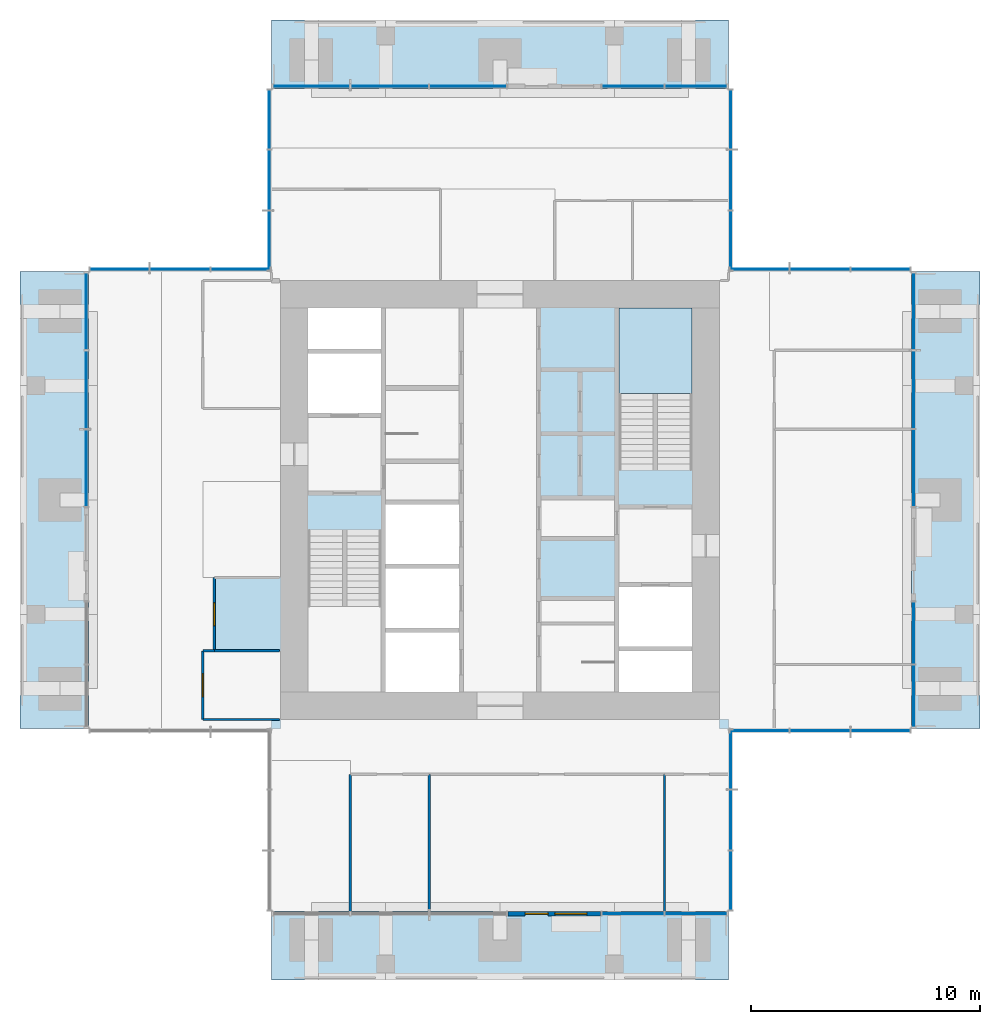
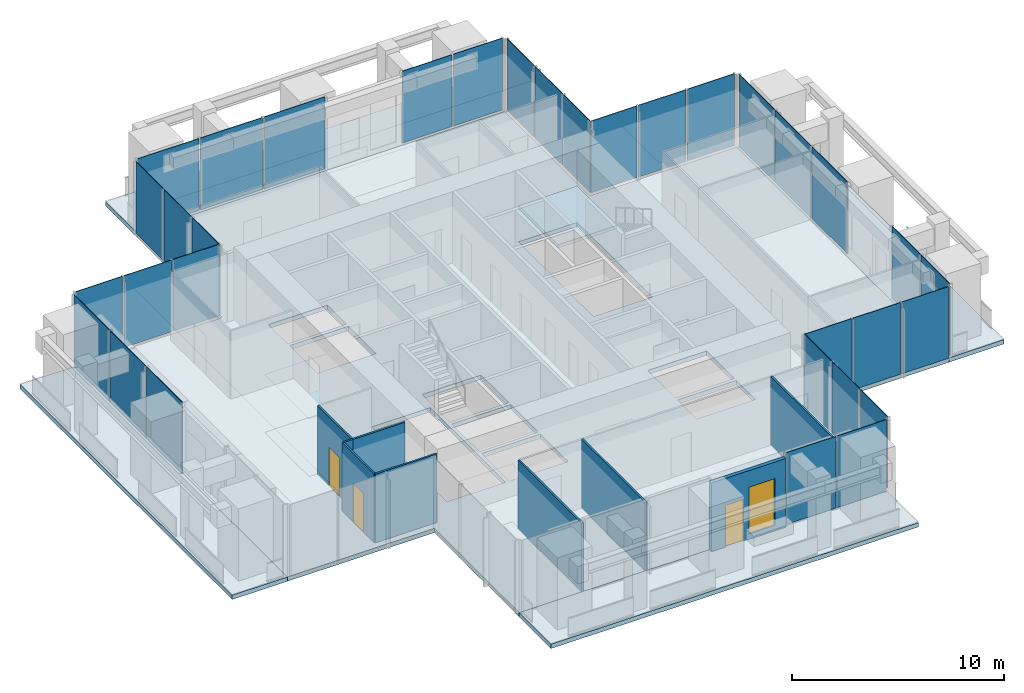
# One storey, part 6 of 12: 33 plates, 9 walls, 6 slabs, 3 doors, 1 window, 4 openings, 13 elements without a shape of their own.
"""IFC4 building model written with IfcOpenShell, lengths in metres."""

from ifc_helpers import new_model, si_unit, direction, frame, frame_2d, origin, origin_2d, place, context, subcontext, project, spatial, polyline, rectangle, outline, extrude, material, layer, layer_set, type_object, element, fill, aggregate, save


model = new_model("IFC4")

# Units and contexts
model_context = context("Model", 3, precision=1e-05, world=origin(), true_north=direction((0.0, 1.0)))
body_context = subcontext(model_context, "Body", "Model", "MODEL_VIEW")
ifc_project = project(units=[si_unit("LENGTHUNIT", "METRE"), si_unit("AREAUNIT", "SQUARE_METRE"), si_unit("VOLUMEUNIT", "CUBIC_METRE"), si_unit("PLANEANGLEUNIT", "RADIAN"), si_unit("MASSUNIT", "GRAM", prefix="KILO")], contexts=[model_context])

# Site, building, storey
site_placement = place(None, origin())
site = spatial("IfcSite", under=ifc_project, at=site_placement, CompositionType="ELEMENT")
building_placement = place(site_placement, origin())
building = spatial("IfcBuilding", under=site, at=building_placement, Name="Svetlomir Tower", CompositionType="ELEMENT")
storey_placement = place(building_placement, frame((0.0, 0.0, 244.0)))
storey = spatial("IfcBuildingStorey", under=building, at=storey_placement, Name="L58", CompositionType="ELEMENT", Elevation=244.0)

# Curtain wall, plates
ifc_material_1 = material(Name="Bronze anodised aluminium curtain wall", Category="aluminium")
curtain_wall_type = type_object("IfcCurtainWallType", Name="CURTAIN WALL CW4 EXECUTIVE", PredefinedType="NOTDEFINED", material=ifc_material_1)
curtain_wall_1_placement = place(storey_placement, origin())
curtain_wall_1 = element("IfcCurtainWall", 1, at=curtain_wall_1_placement, inside=storey, type_object=curtain_wall_type, Name="Curtain wall CW4 L58", PredefinedType="NOTDEFINED")
ifc_material_2 = material(Name="Tinted double glazed unit", Category="glass")
ifc_layer_1 = layer(ifc_material_2, 0.035888671875)
ifc_layer_set_1 = layer_set([ifc_layer_1], Name="Tinted double glazed unit")
plate_type = type_object("IfcPlateType", Name="CW4 GLAZED PANEL 36", PredefinedType="CURTAIN_PANEL", material=ifc_layer_set_1)
plate_1_placement = place(storey_placement, frame((26.81884765625, 2.89990234375, 0.074951171875), z_axis=(0.0, 0.0, 1.0), x_axis=(1.0, 0.0, 0.0)))
plate_1 = element("IfcPlate", 2, at=plate_1_placement, type_object=plate_type, Name="CW4 panel 1.1", PredefinedType="CURTAIN_PANEL", context=body_context, shape_type="SweptSolid", body=[
    extrude(rectangle(XDim=2.6875, YDim=0.035888671875, at=origin_2d()), origin(), (0.0, 0.0, 1.0), 4.125),
])
plate_2_placement = place(storey_placement, frame((29.581298828125, 2.89990234375, 0.074951171875), z_axis=(0.0, 0.0, 1.0), x_axis=(1.0, 0.0, 0.0)))
plate_2 = element("IfcPlate", 3, at=plate_2_placement, type_object=plate_type, Name="CW4 panel 2.1", PredefinedType="CURTAIN_PANEL", context=body_context, shape_type="SweptSolid", body=[
    extrude(rectangle(XDim=2.6875, YDim=0.035888671875, at=origin_2d()), origin(), (0.0, 0.0, 1.0), 4.125),
])
aggregate(curtain_wall_1, [plate_1, plate_2])

curtain_wall_2_placement = place(storey_placement, origin())
curtain_wall_2 = element("IfcCurtainWall", 4, at=curtain_wall_2_placement, inside=storey, type_object=curtain_wall_type, Name="Curtain wall CW4 L58", PredefinedType="NOTDEFINED")
plate_3_placement = place(storey_placement, frame((31.10009765625, 4.35205078125, 0.074951171875), z_axis=(0.0, 0.0, 1.0), x_axis=(0.0, 1.0, 0.0)))
plate_3 = element("IfcPlate", 5, at=plate_3_placement, type_object=plate_type, Name="CW4 panel 1.1", PredefinedType="CURTAIN_PANEL", context=body_context, shape_type="SweptSolid", body=[
    extrude(rectangle(XDim=2.55419921875, YDim=0.035888671875, at=origin_2d()), origin(), (0.0, 0.0, 1.0), 4.125),
])
plate_4_placement = place(storey_placement, frame((31.10009765625, 7.0, 0.074951171875), z_axis=(0.0, 0.0, 1.0), x_axis=(0.0, 1.0, 0.0)))
plate_4 = element("IfcPlate", 6, at=plate_4_placement, type_object=plate_type, Name="CW4 panel 2.1", PredefinedType="CURTAIN_PANEL", context=body_context, shape_type="SweptSolid", body=[
    extrude(rectangle(XDim=2.591552734375, YDim=0.035888671875, at=origin_2d()), origin(), (0.0, 0.0, 1.0), 4.125),
])
plate_5_placement = place(storey_placement, frame((31.10009765625, 9.64794921875, 0.074951171875), z_axis=(0.0, 0.0, 1.0), x_axis=(0.0, 1.0, 0.0)))
plate_5 = element("IfcPlate", 7, at=plate_5_placement, type_object=plate_type, Name="CW4 panel 3.1", PredefinedType="CURTAIN_PANEL", context=body_context, shape_type="SweptSolid", body=[
    extrude(rectangle(XDim=2.55419921875, YDim=0.035888671875, at=origin_2d()), origin(), (0.0, 0.0, 1.0), 4.125),
])
aggregate(curtain_wall_2, [plate_3, plate_4, plate_5])

curtain_wall_3_placement = place(storey_placement, origin())
curtain_wall_3 = element("IfcCurtainWall", 8, at=curtain_wall_3_placement, inside=storey, type_object=curtain_wall_type, Name="Curtain wall CW4 L58", PredefinedType="NOTDEFINED")
plate_6_placement = place(storey_placement, frame((32.35205078125, 10.89990234375, 0.074951171875), z_axis=(0.0, 0.0, 1.0), x_axis=(1.0, 0.0, 0.0)))
plate_6 = element("IfcPlate", 9, at=plate_6_placement, type_object=plate_type, Name="CW4 panel 1.1", PredefinedType="CURTAIN_PANEL", context=body_context, shape_type="SweptSolid", body=[
    extrude(rectangle(XDim=2.55419921875, YDim=0.035888671875, at=origin_2d()), origin(), (0.0, 0.0, 1.0), 4.125),
])
plate_7_placement = place(storey_placement, frame((35.0, 10.89990234375, 0.074951171875), z_axis=(0.0, 0.0, 1.0), x_axis=(1.0, 0.0, 0.0)))
plate_7 = element("IfcPlate", 10, at=plate_7_placement, type_object=plate_type, Name="CW4 panel 2.1", PredefinedType="CURTAIN_PANEL", context=body_context, shape_type="SweptSolid", body=[
    extrude(rectangle(XDim=2.591552734375, YDim=0.035888671875, at=origin_2d()), origin(), (0.0, 0.0, 1.0), 4.125),
])
plate_8_placement = place(storey_placement, frame((37.64794921875, 10.89990234375, 0.074951171875), z_axis=(0.0, 0.0, 1.0), x_axis=(1.0, 0.0, 0.0)))
plate_8 = element("IfcPlate", 11, at=plate_8_placement, type_object=plate_type, Name="CW4 panel 3.1", PredefinedType="CURTAIN_PANEL", context=body_context, shape_type="SweptSolid", body=[
    extrude(rectangle(XDim=2.55419921875, YDim=0.035888671875, at=origin_2d()), origin(), (0.0, 0.0, 1.0), 4.125),
])
aggregate(curtain_wall_3, [plate_6, plate_7, plate_8])

curtain_wall_4_placement = place(storey_placement, origin())
curtain_wall_4 = element("IfcCurtainWall", 12, at=curtain_wall_4_placement, inside=storey, type_object=curtain_wall_type, Name="Curtain wall CW4 L58", PredefinedType="NOTDEFINED")
plate_9_placement = place(storey_placement, frame((39.10009765625, 12.418701171875, 0.074951171875), z_axis=(0.0, 0.0, 1.0), x_axis=(0.0, 1.0, 0.0)))
plate_9 = element("IfcPlate", 13, at=plate_9_placement, type_object=plate_type, Name="CW4 panel 1.1", PredefinedType="CURTAIN_PANEL", context=body_context, shape_type="SweptSolid", body=[
    extrude(rectangle(XDim=2.6875, YDim=0.035888671875, at=origin_2d()), origin(), (0.0, 0.0, 1.0), 4.125),
])
plate_10_placement = place(storey_placement, frame((39.10009765625, 15.18115234375, 0.074951171875), z_axis=(0.0, 0.0, 1.0), x_axis=(0.0, 1.0, 0.0)))
plate_10 = element("IfcPlate", 14, at=plate_10_placement, type_object=plate_type, Name="CW4 panel 2.1", PredefinedType="CURTAIN_PANEL", context=body_context, shape_type="SweptSolid", body=[
    extrude(rectangle(XDim=2.6875, YDim=0.035888671875, at=origin_2d()), origin(), (0.0, 0.0, 1.0), 4.125),
])
aggregate(curtain_wall_4, [plate_9, plate_10])

curtain_wall_5_placement = place(storey_placement, origin())
curtain_wall_5 = element("IfcCurtainWall", 15, at=curtain_wall_5_placement, inside=storey, type_object=curtain_wall_type, Name="Curtain wall CW4 L58", PredefinedType="NOTDEFINED")
plate_11_placement = place(storey_placement, frame((39.10009765625, 22.393798828125, 0.074951171875), z_axis=(0.0, 0.0, 1.0), x_axis=(0.0, 1.0, 0.0)))
plate_11 = element("IfcPlate", 16, at=plate_11_placement, type_object=plate_type, Name="CW4 panel 1.1", PredefinedType="CURTAIN_PANEL", context=body_context, shape_type="SweptSolid", body=[
    extrude(rectangle(XDim=3.33740234375, YDim=0.035888671875, at=origin_2d()), origin(), (0.0, 0.0, 1.0), 4.125),
])
plate_12_placement = place(storey_placement, frame((39.10009765625, 25.824951171875, 0.074951171875), z_axis=(0.0, 0.0, 1.0), x_axis=(0.0, 1.0, 0.0)))
plate_12 = element("IfcPlate", 17, at=plate_12_placement, type_object=plate_type, Name="CW4 panel 2.1", PredefinedType="CURTAIN_PANEL", context=body_context, shape_type="SweptSolid", body=[
    extrude(rectangle(XDim=3.375, YDim=0.035888671875, at=origin_2d()), origin(), (0.0, 0.0, 1.0), 4.125),
])
plate_13_placement = place(storey_placement, frame((39.10009765625, 29.25634765625, 0.074951171875), z_axis=(0.0, 0.0, 1.0), x_axis=(0.0, 1.0, 0.0)))
plate_13 = element("IfcPlate", 18, at=plate_13_placement, type_object=plate_type, Name="CW4 panel 3.1", PredefinedType="CURTAIN_PANEL", context=body_context, shape_type="SweptSolid", body=[
    extrude(rectangle(XDim=3.33740234375, YDim=0.035888671875, at=origin_2d()), origin(), (0.0, 0.0, 1.0), 4.125),
])
aggregate(curtain_wall_5, [plate_11, plate_12, plate_13])

curtain_wall_6_placement = place(storey_placement, origin())
curtain_wall_6 = element("IfcCurtainWall", 19, at=curtain_wall_6_placement, inside=storey, type_object=curtain_wall_type, Name="Curtain wall CW4 L58", PredefinedType="NOTDEFINED")
plate_14_placement = place(storey_placement, frame((37.64794921875, 31.10009765625, 0.074951171875), z_axis=(0.0, 0.0, 1.0), x_axis=(-1.0, 0.0, 0.0)))
plate_14 = element("IfcPlate", 20, at=plate_14_placement, type_object=plate_type, Name="CW4 panel 1.1", PredefinedType="CURTAIN_PANEL", context=body_context, shape_type="SweptSolid", body=[
    extrude(rectangle(XDim=2.55419921875, YDim=0.035888671875, at=origin_2d()), origin(), (0.0, 0.0, 1.0), 4.125),
])
plate_15_placement = place(storey_placement, frame((35.0, 31.10009765625, 0.074951171875), z_axis=(0.0, 0.0, 1.0), x_axis=(-1.0, 0.0, 0.0)))
plate_15 = element("IfcPlate", 21, at=plate_15_placement, type_object=plate_type, Name="CW4 panel 2.1", PredefinedType="CURTAIN_PANEL", context=body_context, shape_type="SweptSolid", body=[
    extrude(rectangle(XDim=2.591552734375, YDim=0.035888671875, at=origin_2d()), origin(), (0.0, 0.0, 1.0), 4.125),
])
plate_16_placement = place(storey_placement, frame((32.35205078125, 31.10009765625, 0.074951171875), z_axis=(0.0, 0.0, 1.0), x_axis=(-1.0, 0.0, 0.0)))
plate_16 = element("IfcPlate", 22, at=plate_16_placement, type_object=plate_type, Name="CW4 panel 3.1", PredefinedType="CURTAIN_PANEL", context=body_context, shape_type="SweptSolid", body=[
    extrude(rectangle(XDim=2.55419921875, YDim=0.035888671875, at=origin_2d()), origin(), (0.0, 0.0, 1.0), 4.125),
])
aggregate(curtain_wall_6, [plate_14, plate_15, plate_16])

curtain_wall_7_placement = place(storey_placement, origin())
curtain_wall_7 = element("IfcCurtainWall", 23, at=curtain_wall_7_placement, inside=storey, type_object=curtain_wall_type, Name="Curtain wall CW4 L58", PredefinedType="NOTDEFINED")
plate_17_placement = place(storey_placement, frame((31.10009765625, 32.35205078125, 0.074951171875), z_axis=(0.0, 0.0, 1.0), x_axis=(0.0, 1.0, 0.0)))
plate_17 = element("IfcPlate", 24, at=plate_17_placement, type_object=plate_type, Name="CW4 panel 1.1", PredefinedType="CURTAIN_PANEL", context=body_context, shape_type="SweptSolid", body=[
    extrude(rectangle(XDim=2.55419921875, YDim=0.035888671875, at=origin_2d()), origin(), (0.0, 0.0, 1.0), 4.125),
])
plate_18_placement = place(storey_placement, frame((31.10009765625, 35.0, 0.074951171875), z_axis=(0.0, 0.0, 1.0), x_axis=(0.0, 1.0, 0.0)))
plate_18 = element("IfcPlate", 25, at=plate_18_placement, type_object=plate_type, Name="CW4 panel 2.1", PredefinedType="CURTAIN_PANEL", context=body_context, shape_type="SweptSolid", body=[
    extrude(rectangle(XDim=2.591552734375, YDim=0.035888671875, at=origin_2d()), origin(), (0.0, 0.0, 1.0), 4.125),
])
plate_19_placement = place(storey_placement, frame((31.10009765625, 37.64794921875, 0.074951171875), z_axis=(0.0, 0.0, 1.0), x_axis=(0.0, 1.0, 0.0)))
plate_19 = element("IfcPlate", 26, at=plate_19_placement, type_object=plate_type, Name="CW4 panel 3.1", PredefinedType="CURTAIN_PANEL", context=body_context, shape_type="SweptSolid", body=[
    extrude(rectangle(XDim=2.55419921875, YDim=0.035888671875, at=origin_2d()), origin(), (0.0, 0.0, 1.0), 4.125),
])
aggregate(curtain_wall_7, [plate_17, plate_18, plate_19])

curtain_wall_8_placement = place(storey_placement, origin())
curtain_wall_8 = element("IfcCurtainWall", 27, at=curtain_wall_8_placement, inside=storey, type_object=curtain_wall_type, Name="Curtain wall CW4 L58", PredefinedType="NOTDEFINED")
plate_20_placement = place(storey_placement, frame((29.581298828125, 39.10009765625, 0.074951171875), z_axis=(0.0, 0.0, 1.0), x_axis=(-1.0, 0.0, 0.0)))
plate_20 = element("IfcPlate", 28, at=plate_20_placement, type_object=plate_type, Name="CW4 panel 1.1", PredefinedType="CURTAIN_PANEL", context=body_context, shape_type="SweptSolid", body=[
    extrude(rectangle(XDim=2.6875, YDim=0.035888671875, at=origin_2d()), origin(), (0.0, 0.0, 1.0), 4.125),
])
plate_21_placement = place(storey_placement, frame((26.81884765625, 39.10009765625, 0.074951171875), z_axis=(0.0, 0.0, 1.0), x_axis=(-1.0, 0.0, 0.0)))
plate_21 = element("IfcPlate", 29, at=plate_21_placement, type_object=plate_type, Name="CW4 panel 2.1", PredefinedType="CURTAIN_PANEL", context=body_context, shape_type="SweptSolid", body=[
    extrude(rectangle(XDim=2.6875, YDim=0.035888671875, at=origin_2d()), origin(), (0.0, 0.0, 1.0), 4.125),
])
aggregate(curtain_wall_8, [plate_20, plate_21])

curtain_wall_9_placement = place(storey_placement, origin())
curtain_wall_9 = element("IfcCurtainWall", 30, at=curtain_wall_9_placement, inside=storey, type_object=curtain_wall_type, Name="Curtain wall CW4 L58", PredefinedType="NOTDEFINED")
plate_22_placement = place(storey_placement, frame((19.606201171875, 39.10009765625, 0.074951171875), z_axis=(0.0, 0.0, 1.0), x_axis=(-1.0, 0.0, 0.0)))
plate_22 = element("IfcPlate", 31, at=plate_22_placement, type_object=plate_type, Name="CW4 panel 1.1", PredefinedType="CURTAIN_PANEL", context=body_context, shape_type="SweptSolid", body=[
    extrude(rectangle(XDim=3.33740234375, YDim=0.035888671875, at=origin_2d()), origin(), (0.0, 0.0, 1.0), 4.125),
])
plate_23_placement = place(storey_placement, frame((16.175048828125, 39.10009765625, 0.074951171875), z_axis=(0.0, 0.0, 1.0), x_axis=(-1.0, 0.0, 0.0)))
plate_23 = element("IfcPlate", 32, at=plate_23_placement, type_object=plate_type, Name="CW4 panel 2.1", PredefinedType="CURTAIN_PANEL", context=body_context, shape_type="SweptSolid", body=[
    extrude(rectangle(XDim=3.375, YDim=0.035888671875, at=origin_2d()), origin(), (0.0, 0.0, 1.0), 4.125),
])
plate_24_placement = place(storey_placement, frame((12.74365234375, 39.10009765625, 0.074951171875), z_axis=(0.0, 0.0, 1.0), x_axis=(-1.0, 0.0, 0.0)))
plate_24 = element("IfcPlate", 33, at=plate_24_placement, type_object=plate_type, Name="CW4 panel 3.1", PredefinedType="CURTAIN_PANEL", context=body_context, shape_type="SweptSolid", body=[
    extrude(rectangle(XDim=3.33740234375, YDim=0.035888671875, at=origin_2d()), origin(), (0.0, 0.0, 1.0), 4.125),
])
aggregate(curtain_wall_9, [plate_22, plate_23, plate_24])

curtain_wall_10_placement = place(storey_placement, origin())
curtain_wall_10 = element("IfcCurtainWall", 34, at=curtain_wall_10_placement, inside=storey, type_object=curtain_wall_type, Name="Curtain wall CW4 L58", PredefinedType="NOTDEFINED")
plate_25_placement = place(storey_placement, frame((10.89990234375, 37.64794921875, 0.074951171875), z_axis=(0.0, 0.0, 1.0), x_axis=(0.0, -1.0, 0.0)))
plate_25 = element("IfcPlate", 35, at=plate_25_placement, type_object=plate_type, Name="CW4 panel 1.1", PredefinedType="CURTAIN_PANEL", context=body_context, shape_type="SweptSolid", body=[
    extrude(rectangle(XDim=2.55419921875, YDim=0.035888671875, at=origin_2d()), origin(), (0.0, 0.0, 1.0), 4.125),
])
plate_26_placement = place(storey_placement, frame((10.89990234375, 35.0, 0.074951171875), z_axis=(0.0, 0.0, 1.0), x_axis=(0.0, -1.0, 0.0)))
plate_26 = element("IfcPlate", 36, at=plate_26_placement, type_object=plate_type, Name="CW4 panel 2.1", PredefinedType="CURTAIN_PANEL", context=body_context, shape_type="SweptSolid", body=[
    extrude(rectangle(XDim=2.591552734375, YDim=0.035888671875, at=origin_2d()), origin(), (0.0, 0.0, 1.0), 4.125),
])
plate_27_placement = place(storey_placement, frame((10.89990234375, 32.35205078125, 0.074951171875), z_axis=(0.0, 0.0, 1.0), x_axis=(0.0, -1.0, 0.0)))
plate_27 = element("IfcPlate", 37, at=plate_27_placement, type_object=plate_type, Name="CW4 panel 3.1", PredefinedType="CURTAIN_PANEL", context=body_context, shape_type="SweptSolid", body=[
    extrude(rectangle(XDim=2.55419921875, YDim=0.035888671875, at=origin_2d()), origin(), (0.0, 0.0, 1.0), 4.125),
])
aggregate(curtain_wall_10, [plate_25, plate_26, plate_27])

curtain_wall_11_placement = place(storey_placement, origin())
curtain_wall_11 = element("IfcCurtainWall", 38, at=curtain_wall_11_placement, inside=storey, type_object=curtain_wall_type, Name="Curtain wall CW4 L58", PredefinedType="NOTDEFINED")
plate_28_placement = place(storey_placement, frame((9.64794921875, 31.10009765625, 0.074951171875), z_axis=(0.0, 0.0, 1.0), x_axis=(-1.0, 0.0, 0.0)))
plate_28 = element("IfcPlate", 39, at=plate_28_placement, type_object=plate_type, Name="CW4 panel 1.1", PredefinedType="CURTAIN_PANEL", context=body_context, shape_type="SweptSolid", body=[
    extrude(rectangle(XDim=2.55419921875, YDim=0.035888671875, at=origin_2d()), origin(), (0.0, 0.0, 1.0), 4.125),
])
plate_29_placement = place(storey_placement, frame((7.0, 31.10009765625, 0.074951171875), z_axis=(0.0, 0.0, 1.0), x_axis=(-1.0, 0.0, 0.0)))
plate_29 = element("IfcPlate", 40, at=plate_29_placement, type_object=plate_type, Name="CW4 panel 2.1", PredefinedType="CURTAIN_PANEL", context=body_context, shape_type="SweptSolid", body=[
    extrude(rectangle(XDim=2.591552734375, YDim=0.035888671875, at=origin_2d()), origin(), (0.0, 0.0, 1.0), 4.125),
])
plate_30_placement = place(storey_placement, frame((4.35205078125, 31.10009765625, 0.074951171875), z_axis=(0.0, 0.0, 1.0), x_axis=(-1.0, 0.0, 0.0)))
plate_30 = element("IfcPlate", 41, at=plate_30_placement, type_object=plate_type, Name="CW4 panel 3.1", PredefinedType="CURTAIN_PANEL", context=body_context, shape_type="SweptSolid", body=[
    extrude(rectangle(XDim=2.55419921875, YDim=0.035888671875, at=origin_2d()), origin(), (0.0, 0.0, 1.0), 4.125),
])
aggregate(curtain_wall_11, [plate_28, plate_29, plate_30])

curtain_wall_12_placement = place(storey_placement, origin())
curtain_wall_12 = element("IfcCurtainWall", 42, at=curtain_wall_12_placement, inside=storey, type_object=curtain_wall_type, Name="Curtain wall CW4 L58", PredefinedType="NOTDEFINED")
plate_31_placement = place(storey_placement, frame((2.89990234375, 29.25634765625, 0.074951171875), z_axis=(0.0, 0.0, 1.0), x_axis=(0.0, -1.0, 0.0)))
plate_31 = element("IfcPlate", 43, at=plate_31_placement, type_object=plate_type, Name="CW4 panel 1.1", PredefinedType="CURTAIN_PANEL", context=body_context, shape_type="SweptSolid", body=[
    extrude(rectangle(XDim=3.33740234375, YDim=0.035888671875, at=origin_2d()), origin(), (0.0, 0.0, 1.0), 4.125),
])
plate_32_placement = place(storey_placement, frame((2.89990234375, 25.824951171875, 0.074951171875), z_axis=(0.0, 0.0, 1.0), x_axis=(0.0, -1.0, 0.0)))
plate_32 = element("IfcPlate", 44, at=plate_32_placement, type_object=plate_type, Name="CW4 panel 2.1", PredefinedType="CURTAIN_PANEL", context=body_context, shape_type="SweptSolid", body=[
    extrude(rectangle(XDim=3.375, YDim=0.035888671875, at=origin_2d()), origin(), (0.0, 0.0, 1.0), 4.125),
])
plate_33_placement = place(storey_placement, frame((2.89990234375, 22.393798828125, 0.074951171875), z_axis=(0.0, 0.0, 1.0), x_axis=(0.0, -1.0, 0.0)))
plate_33 = element("IfcPlate", 45, at=plate_33_placement, type_object=plate_type, Name="CW4 panel 3.1", PredefinedType="CURTAIN_PANEL", context=body_context, shape_type="SweptSolid", body=[
    extrude(rectangle(XDim=3.33740234375, YDim=0.035888671875, at=origin_2d()), origin(), (0.0, 0.0, 1.0), 4.125),
])
aggregate(curtain_wall_12, [plate_31, plate_32, plate_33])

# Slabs
ifc_material_3 = material(Name="Concrete C60/75", Category="concrete")
ifc_layer_2 = layer(ifc_material_3, 0.25)
ifc_layer_set_2 = layer_set([ifc_layer_2], Name="Concrete C60/75")
slab_type_1 = type_object("IfcSlabType", Name="FLOOR SLAB 250", PredefinedType="FLOOR", material=ifc_layer_set_2)
slab_1_placement = place(storey_placement, frame((0.0, 0.0, -0.25)))
element("IfcSlab", 46, at=slab_1_placement, inside=storey, type_object=slab_type_1, Name="L58 floor slab", PredefinedType="FLOOR", context=body_context, shape_type="SweptSolid", body=[
    extrude(outline(polyline([(11.0, 3.0), (31.0, 3.0), (31.0, 11.0), (39.0, 11.0), (39.0, 31.0), (31.0, 31.0), (31.0, 39.0), (11.0, 39.0), (11.0, 31.0), (3.0, 31.0), (3.0, 11.0), (11.0, 11.0), (11.0, 3.0)]), holes=[polyline([(12.60009765625, 24.800048828125), (15.800048828125, 24.800048828125), (15.800048828125, 27.39990234375), (12.60009765625, 27.39990234375), (12.60009765625, 24.800048828125)]), polyline([(26.199951171875, 14.60009765625), (29.39990234375, 14.60009765625), (29.39990234375, 17.199951171875), (26.199951171875, 17.199951171875), (26.199951171875, 14.60009765625)]), polyline([(16.0, 12.60009765625), (19.199951171875, 12.60009765625), (19.199951171875, 15.199951171875), (16.0, 15.199951171875), (16.0, 12.60009765625)]), polyline([(16.0, 15.39990234375), (19.199951171875, 15.39990234375), (19.199951171875, 18.0), (16.0, 18.0), (16.0, 15.39990234375)]), polyline([(16.0, 18.199951171875), (19.199951171875, 18.199951171875), (19.199951171875, 20.800048828125), (16.0, 20.800048828125), (16.0, 18.199951171875)]), polyline([(12.60009765625, 27.60009765625), (15.800048828125, 27.60009765625), (15.800048828125, 29.39990234375), (12.60009765625, 29.39990234375), (12.60009765625, 27.60009765625)]), polyline([(26.199951171875, 12.60009765625), (29.39990234375, 12.60009765625), (29.39990234375, 14.39990234375), (26.199951171875, 14.39990234375), (26.199951171875, 12.60009765625)]), polyline([(12.60009765625, 12.60009765625), (15.800048828125, 12.60009765625), (15.800048828125, 19.679931640625), (12.60009765625, 19.679931640625), (12.60009765625, 12.60009765625)]), polyline([(26.199951171875, 22.320068359375), (29.39990234375, 22.320068359375), (29.39990234375, 29.39990234375), (26.199951171875, 29.39990234375), (26.199951171875, 22.320068359375)])]), origin(), (0.0, 0.0, 1.0), 0.25),
])
ifc_material_4 = material(Name="Concrete C60/75", Category="concrete")
ifc_layer_3 = layer(ifc_material_4, 0.25)
ifc_layer_set_3 = layer_set([ifc_layer_3], Name="Concrete C60/75")
slab_type_2 = type_object("IfcSlabType", Name="PLANTED LOGGIA SLAB 250", PredefinedType="FLOOR", material=ifc_layer_set_3)
slab_2_placement = place(storey_placement, frame((0.0, 0.0, -0.25)))
element("IfcSlab", 47, at=slab_2_placement, inside=storey, type_object=slab_type_2, Name="L58 S planted loggia", PredefinedType="FLOOR", context=body_context, shape_type="SweptSolid", body=[
    extrude(outline(polyline([(11.0, 0.0), (31.0, 0.0), (31.0, 3.0), (11.0, 3.0), (11.0, 0.0)])), origin(), (0.0, 0.0, 1.0), 0.25),
])
slab_3_placement = place(storey_placement, frame((0.0, 0.0, -0.25)))
element("IfcSlab", 48, at=slab_3_placement, inside=storey, type_object=slab_type_2, Name="L58 E planted loggia", PredefinedType="FLOOR", context=body_context, shape_type="SweptSolid", body=[
    extrude(outline(polyline([(39.0, 11.0), (42.0, 11.0), (42.0, 31.0), (39.0, 31.0), (39.0, 11.0)])), origin(), (0.0, 0.0, 1.0), 0.25),
])
slab_4_placement = place(storey_placement, frame((0.0, 0.0, -0.25)))
element("IfcSlab", 49, at=slab_4_placement, inside=storey, type_object=slab_type_2, Name="L58 N planted loggia", PredefinedType="FLOOR", context=body_context, shape_type="SweptSolid", body=[
    extrude(outline(polyline([(11.0, 39.0), (31.0, 39.0), (31.0, 42.0), (11.0, 42.0), (11.0, 39.0)])), origin(), (0.0, 0.0, 1.0), 0.25),
])
slab_5_placement = place(storey_placement, frame((0.0, 0.0, -0.25)))
element("IfcSlab", 50, at=slab_5_placement, inside=storey, type_object=slab_type_2, Name="L58 W planted loggia", PredefinedType="FLOOR", context=body_context, shape_type="SweptSolid", body=[
    extrude(outline(polyline([(0.0, 11.0), (3.0, 11.0), (3.0, 31.0), (0.0, 31.0), (0.0, 11.0)])), origin(), (0.0, 0.0, 1.0), 0.25),
])

# Stair, slab
ifc_material_5 = material(Name="Concrete C60/75", Category="concrete")
stair_type = type_object("IfcStairType", Name="EXIT STAIR 3200 RISE 4200", PredefinedType="HALF_TURN_STAIR", material=ifc_material_5)
stair_placement = place(storey_placement, origin())
stair = element("IfcStair", 51, at=stair_placement, inside=storey, type_object=stair_type, Name="Stair S2 L58 to L59", PredefinedType="HALF_TURN_STAIR")
ifc_material_6 = material(Name="Concrete C60/75", Category="concrete")
ifc_layer_4 = layer(ifc_material_6, 0.199951171875)
ifc_layer_set_4 = layer_set([ifc_layer_4], Name="Concrete C60/75")
slab_type_3 = type_object("IfcSlabType", Name="STAIR LANDING 200", PredefinedType="LANDING", material=ifc_layer_set_4)
slab_6_placement = place(storey_placement, frame((0.0, 0.0, 1.89990234375)))
slab_6 = element("IfcSlab", 52, at=slab_6_placement, type_object=slab_type_3, Name="S2 landing 1", PredefinedType="LANDING", context=body_context, shape_type="SweptSolid", body=[
    extrude(outline(polyline([(26.199951171875, 25.659912109375), (29.39990234375, 25.659912109375), (29.39990234375, 29.39990234375), (26.199951171875, 29.39990234375), (26.199951171875, 25.659912109375)])), origin(), (0.0, 0.0, 1.0), 0.2001953125),
])
aggregate(stair, [slab_6])

# Wall, openings, door, window
ifc_material_7 = material(Name="Bronze anodised aluminium glazed screen", Category="aluminium")
ifc_layer_5 = layer(ifc_material_7, 0.199951171875)
ifc_layer_set_5 = layer_set([ifc_layer_5], Name="Bronze anodised aluminium glazed screen")
wall_type_1 = type_object("IfcWallType", Name="BALCONY SCREEN WALL 200", PredefinedType="USERDEFINED", material=ifc_layer_set_5)
wall_1_placement = place(storey_placement, frame((21.35009765625, 2.89990234375, 0.0), z_axis=(0.0, 0.0, 1.0), x_axis=(1.0, 0.0, 0.0)))
wall_1 = element("IfcWall", 53, at=wall_1_placement, inside=storey, type_object=wall_type_1, Name="Balcony screen S", ObjectType="GLAZED SCREEN", PredefinedType="USERDEFINED", context=body_context, shape_type="SweptSolid", body=[
    extrude(rectangle(XDim=4.0498046875, YDim=0.199951171875, at=frame_2d((2.02490234375, 0.0))), origin(), (0.0, 0.0, 1.0), 3.949951171875),
])
opening_1_placement = place(wall_1_placement, frame((0.75, 0.0, 0.0)))
opening_1 = element("IfcOpeningElement", 54, at=opening_1_placement, cuts=wall_1, Name="Opening BD", PredefinedType="OPENING", context=body_context, shape_type="SweptSolid", body=[
    extrude(rectangle(XDim=1.0, YDim=2.39990234375, at=frame_2d((0.5, 1.199951171875))), frame((0.0, 0.10986328125, 0.0), z_axis=(0.0, -1.0, 0.0), x_axis=(1.0, 0.0, 0.0)), (0.0, 0.0, 1.0), 0.219970703125),
])
opening_2_placement = place(wall_1_placement, frame((2.050048828125, 0.0, 0.300048828125)))
opening_2 = element("IfcOpeningElement", 55, at=opening_2_placement, cuts=wall_1, Name="Opening WS2", PredefinedType="OPENING", context=body_context, shape_type="SweptSolid", body=[
    extrude(rectangle(XDim=1.39990234375, YDim=2.699951171875, at=frame_2d((0.699951171875, 1.35009765625))), frame((0.0, 0.10986328125, 0.0), z_axis=(0.0, -1.0, 0.0), x_axis=(1.0, 0.0, 0.0)), (0.0, 0.0, 1.0), 0.219970703125),
])
ifc_material_8 = material(Name="Bronze anodised aluminium glazed door", Category="aluminium")
door_type_1 = type_object("IfcDoorType", Name="BALCONY DOOR BD 1000x2400", OperationType="SINGLE_SWING_LEFT", PredefinedType="DOOR", material=ifc_material_8)
door_1_placement = place(opening_1_placement, origin())
door_1 = element("IfcDoor", 56, at=door_1_placement, inside=storey, type_object=door_type_1, Name="Balcony screen S door", OperationType="SINGLE_SWING_LEFT", OverallHeight=2.39990234375, OverallWidth=1.0, PredefinedType="DOOR", context=body_context, shape_type="SweptSolid", body=[
    extrude(rectangle(XDim=1.0, YDim=2.39990234375, at=frame_2d((0.5, 1.199951171875))), frame((0.0, 0.02490234375, 0.0), z_axis=(0.0, -1.0, 0.0), x_axis=(1.0, 0.0, 0.0)), (0.0, 0.0, 1.0), 0.050048828125),
])
fill(opening_1, door_1)
ifc_material_9 = material(Name="Bronze anodised aluminium window", Category="aluminium")
window_type = type_object("IfcWindowType", Name="SCREEN WINDOW WS2 1400x2700", PartitioningType="SINGLE_PANEL", PredefinedType="WINDOW", material=ifc_material_9)
window_placement = place(opening_2_placement, origin())
window = element("IfcWindow", 57, at=window_placement, inside=storey, type_object=window_type, Name="Balcony screen S window 1", OverallHeight=2.699951171875, OverallWidth=1.39990234375, PartitioningType="SINGLE_PANEL", PredefinedType="WINDOW", context=body_context, shape_type="SweptSolid", body=[
    extrude(rectangle(XDim=1.39990234375, YDim=2.699951171875, at=frame_2d((0.699951171875, 1.35009765625))), frame((0.0, 0.030029296875, 0.0), z_axis=(0.0, -1.0, 0.0), x_axis=(1.0, 0.0, 0.0)), (0.0, 0.0, 1.0), 0.06005859375),
])
fill(opening_2, window)

# Wall, opening, door
ifc_material_10 = material(Name="Framed laminated glass partition", Category="glass")
ifc_layer_6 = layer(ifc_material_10, 0.10009765625)
ifc_layer_set_6 = layer_set([ifc_layer_6], Name="Framed laminated glass partition")
wall_type_2 = type_object("IfcWallType", Name="GLAZED PARTITION 100", PredefinedType="PARTITIONING", material=ifc_layer_set_6)
wall_2_placement = place(storey_placement, frame((8.0, 11.39990234375, 0.0), z_axis=(0.0, 0.0, 1.0), x_axis=(0.0, 1.0, 0.0)))
wall_2 = element("IfcWall", 58, at=wall_2_placement, inside=storey, type_object=wall_type_2, Name="Glazed partition L58", PredefinedType="PARTITIONING", context=body_context, shape_type="SweptSolid", body=[
    extrude(rectangle(XDim=3.0, YDim=0.10009765625, at=frame_2d((1.5, 0.0))), origin(), (0.0, 0.0, 1.0), 3.949951171875),
])
opening_3_placement = place(wall_2_placement, frame((1.0, 0.0, 0.0)))
opening_3 = element("IfcOpeningElement", 59, at=opening_3_placement, cuts=wall_2, Name="Opening DR", PredefinedType="OPENING", context=body_context, shape_type="SweptSolid", body=[
    extrude(rectangle(XDim=1.0, YDim=2.199951171875, at=frame_2d((0.5, 1.10009765625))), frame((0.0, 0.06005859375, 0.0), z_axis=(0.0, -1.0, 0.0), x_axis=(1.0, 0.0, 0.0)), (0.0, 0.0, 1.0), 0.1201171875),
])
ifc_material_11 = material(Name="Timber door, glazed side light", Category="wood")
door_type_2 = type_object("IfcDoorType", Name="DOOR DR 1000x2200", OperationType="SINGLE_SWING_LEFT", PredefinedType="DOOR", material=ifc_material_11)
door_2_placement = place(opening_3_placement, origin())
door_2 = element("IfcDoor", 60, at=door_2_placement, inside=storey, type_object=door_type_2, Name="Focus room door L58", OperationType="SINGLE_SWING_RIGHT", OverallHeight=2.199951171875, OverallWidth=1.0, PredefinedType="DOOR", context=body_context, shape_type="SweptSolid", body=[
    extrude(rectangle(XDim=1.0, YDim=2.199951171875, at=frame_2d((0.5, 1.10009765625))), frame((0.0, 0.02490234375, 0.0), z_axis=(0.0, -1.0, 0.0), x_axis=(1.0, 0.0, 0.0)), (0.0, 0.0, 1.0), 0.050048828125),
])
fill(opening_3, door_2)

# Walls
wall_3_placement = place(storey_placement, frame((8.0, 11.39990234375, 0.0), z_axis=(0.0, 0.0, 1.0), x_axis=(1.0, 0.0, 0.0)))
element("IfcWall", 61, at=wall_3_placement, inside=storey, type_object=wall_type_2, Name="Glazed partition L58", PredefinedType="PARTITIONING", context=body_context, shape_type="SweptSolid", body=[
    extrude(rectangle(XDim=3.35009765625, YDim=0.10009765625, at=frame_2d((1.675048828125, 0.0))), origin(), (0.0, 0.0, 1.0), 3.949951171875),
])
wall_4_placement = place(storey_placement, frame((8.0, 14.39990234375, 0.0), z_axis=(0.0, 0.0, 1.0), x_axis=(1.0, 0.0, 0.0)))
element("IfcWall", 62, at=wall_4_placement, inside=storey, type_object=wall_type_2, Name="Glazed partition L58", PredefinedType="PARTITIONING", context=body_context, shape_type="SweptSolid", body=[
    extrude(rectangle(XDim=0.5, YDim=0.10009765625, at=frame_2d((0.25, 0.0))), origin(), (0.0, 0.0, 1.0), 3.949951171875),
])

# Wall, opening, door
wall_5_placement = place(storey_placement, frame((8.5, 14.39990234375, 0.0), z_axis=(0.0, 0.0, 1.0), x_axis=(0.0, 1.0, 0.0)))
wall_5 = element("IfcWall", 63, at=wall_5_placement, inside=storey, type_object=wall_type_2, Name="Partition L58", PredefinedType="PARTITIONING", context=body_context, shape_type="SweptSolid", body=[
    extrude(rectangle(XDim=3.2001953125, YDim=0.10009765625, at=frame_2d((1.60009765625, 0.0))), origin(), (0.0, 0.0, 1.0), 3.949951171875),
])
opening_4_placement = place(wall_5_placement, frame((1.10009765625, 0.0, 0.0)))
opening_4 = element("IfcOpeningElement", 64, at=opening_4_placement, cuts=wall_5, Name="Opening DR", PredefinedType="OPENING", context=body_context, shape_type="SweptSolid", body=[
    extrude(rectangle(XDim=1.0, YDim=2.199951171875, at=frame_2d((0.5, 1.10009765625))), frame((0.0, 0.06005859375, 0.0), z_axis=(0.0, -1.0, 0.0), x_axis=(1.0, 0.0, 0.0)), (0.0, 0.0, 1.0), 0.1201171875),
])
door_3_placement = place(opening_4_placement, origin())
door_3 = element("IfcDoor", 65, at=door_3_placement, inside=storey, type_object=door_type_2, Name="Store door L58", OperationType="SINGLE_SWING_LEFT", OverallHeight=2.199951171875, OverallWidth=1.0, PredefinedType="DOOR", context=body_context, shape_type="SweptSolid", body=[
    extrude(rectangle(XDim=1.0, YDim=2.199951171875, at=frame_2d((0.5, 1.10009765625))), frame((0.0, 0.02490234375, 0.0), z_axis=(0.0, -1.0, 0.0), x_axis=(1.0, 0.0, 0.0)), (0.0, 0.0, 1.0), 0.050048828125),
])
fill(opening_4, door_3)

# Walls
wall_6_placement = place(storey_placement, frame((8.5, 14.39990234375, 0.0), z_axis=(0.0, 0.0, 1.0), x_axis=(1.0, 0.0, 0.0)))
element("IfcWall", 66, at=wall_6_placement, inside=storey, type_object=wall_type_2, Name="Partition L58", PredefinedType="PARTITIONING", context=body_context, shape_type="SweptSolid", body=[
    extrude(rectangle(XDim=2.85009765625, YDim=0.10009765625, at=frame_2d((1.425048828125, 0.0))), origin(), (0.0, 0.0, 1.0), 3.949951171875),
])
for number, where, z_axis, x_axis, name in (
    (67, (14.449951171875, 3.0, 0.0), (0.0, 0.0, 1.0), (0.0, 1.0, 0.0), "Partition L58"),
    (68, (17.89990234375, 3.0, 0.0), (0.0, 0.0, 1.0), (0.0, 1.0, 0.0), "Partition L58"),
    (69, (28.199951171875, 3.0, 0.0), (0.0, 0.0, 1.0), (0.0, 1.0, 0.0), "Partition L58"),
):
    element("IfcWall", number, at=place(storey_placement, frame(where, z_axis=z_axis, x_axis=x_axis)), inside=storey, type_object=wall_type_2, Name=name, PredefinedType="PARTITIONING", context=body_context, shape_type="SweptSolid", body=[
        extrude(rectangle(XDim=6.0, YDim=0.10009765625, at=frame_2d((3.0, 0.0))), origin(), (0.0, 0.0, 1.0), 3.949951171875),
    ])

save(model, "model.ifc")
